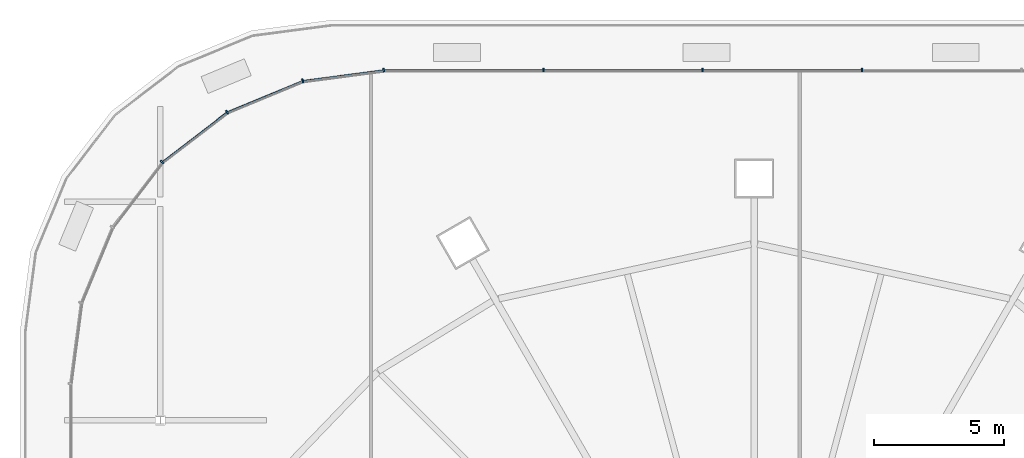
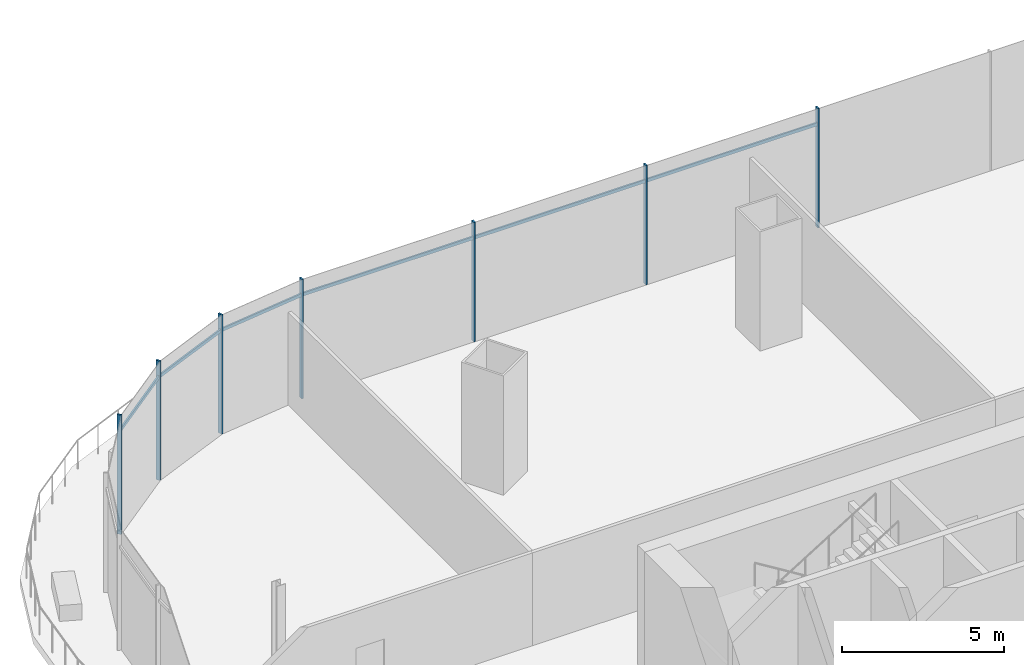
# One storey, part 17 of 49: 13 members, 1 element without a shape of its own.
"""IFC4 building model written with IfcOpenShell, lengths in metres."""

from ifc_helpers import new_model, si_unit, direction, frame, origin, origin_2d, place, context, subcontext, project, spatial, rectangle, extrude, material, material_profile, profile_set, type_object, element, aggregate, save


model = new_model("IFC4")

# Units and contexts
model_context = context("Model", 3, precision=1e-05, world=origin(), true_north=direction((0.0, 1.0)))
body_context = subcontext(model_context, "Body", "Model", "MODEL_VIEW")
ifc_project = project(units=[si_unit("LENGTHUNIT", "METRE"), si_unit("AREAUNIT", "SQUARE_METRE"), si_unit("VOLUMEUNIT", "CUBIC_METRE"), si_unit("PLANEANGLEUNIT", "RADIAN"), si_unit("MASSUNIT", "GRAM", prefix="KILO")], contexts=[model_context])

# Site, building, storey
site_placement = place(None, origin())
site = spatial("IfcSite", under=ifc_project, at=site_placement, CompositionType="ELEMENT")
building_placement = place(site_placement, origin())
building = spatial("IfcBuilding", under=site, at=building_placement, Name="Rimbun Link Towers", CompositionType="ELEMENT")
storey_placement = place(building_placement, frame((0.0, 0.0, 25.5)))
storey = spatial("IfcBuildingStorey", under=building, at=storey_placement, Name="L05", CompositionType="ELEMENT", Elevation=25.5)

# Curtain wall, members
ifc_material_1 = material(Name="Aluminium 6063-T6 and low-iron glass", Category="aluminium")
curtain_wall_type = type_object("IfcCurtainWallType", Name="CW3 podium shopfront", PredefinedType="NOTDEFINED", material=ifc_material_1)
curtain_wall_placement = place(storey_placement, origin())
curtain_wall = element("IfcCurtainWall", 1, at=curtain_wall_placement, inside=storey, type_object=curtain_wall_type, Name="CW3 L05 PD", PredefinedType="NOTDEFINED")
ifc_material_2 = material(Name="Aluminium 6063-T6", Category="aluminium")
ifc_material_profile_1 = material_profile(ifc_material_2, rectangle(XDim=0.14990234375, YDim=0.06005859375, at=origin_2d()), Name="MULLION 60X150")
ifc_profile_set_1 = profile_set([ifc_material_profile_1], Name="Aluminium 6063-T6")
member_type_1 = type_object("IfcMemberType", Name="CW3 mullion 60X150", PredefinedType="MULLION", material=ifc_profile_set_1)
member_1_placement = place(storey_placement, frame((-27.60009765625, 26.074951171875, 0.0), z_axis=(0.0, 0.0, 1.0), x_axis=(0.0, 1.0, 0.0)))
member_1 = element("IfcMember", 2, at=member_1_placement, type_object=member_type_1, Name="CW3 mullion", PredefinedType="MULLION", context=body_context, shape_type="SweptSolid", body=[
    extrude(rectangle(XDim=0.14990234375, YDim=0.06005859375, at=origin_2d()), origin(), (0.0, 0.0, 1.0), 4.5),
])
member_2_placement = place(storey_placement, frame((-33.7333984375, 26.074951171875, 0.0), z_axis=(0.0, 0.0, 1.0), x_axis=(0.0, 1.0, 0.0)))
member_2 = element("IfcMember", 3, at=member_2_placement, type_object=member_type_1, Name="CW3 mullion", PredefinedType="MULLION", context=body_context, shape_type="SweptSolid", body=[
    extrude(rectangle(XDim=0.14990234375, YDim=0.06005859375, at=origin_2d()), origin(), (0.0, 0.0, 1.0), 4.5),
])
member_3_placement = place(storey_placement, frame((-39.86669921875, 26.074951171875, 0.0), z_axis=(0.0, 0.0, 1.0), x_axis=(0.0, 1.0, 0.0)))
member_3 = element("IfcMember", 4, at=member_3_placement, type_object=member_type_1, Name="CW3 mullion", PredefinedType="MULLION", context=body_context, shape_type="SweptSolid", body=[
    extrude(rectangle(XDim=0.14990234375, YDim=0.06005859375, at=origin_2d()), origin(), (0.0, 0.0, 1.0), 4.5),
])
member_4_placement = place(storey_placement, frame((-46.0048828125, 26.074951171875, 0.0), z_axis=(0.0, 0.0, 1.0), x_axis=(-0.065405288299, 0.997858781723, 0.0)))
member_4 = element("IfcMember", 5, at=member_4_placement, type_object=member_type_1, Name="CW3 mullion", PredefinedType="MULLION", context=body_context, shape_type="SweptSolid", body=[
    extrude(rectangle(XDim=0.14990234375, YDim=0.06005859375, at=origin_2d()), origin(), (0.0, 0.0, 1.0), 4.5),
])
member_5_placement = place(storey_placement, frame((-49.125244140625, 25.66357421875, 0.0), z_axis=(0.0, 0.0, 1.0), x_axis=(-0.258818729038, 0.965925910978, 0.0)))
member_5 = element("IfcMember", 6, at=member_5_placement, type_object=member_type_1, Name="CW3 mullion", PredefinedType="MULLION", context=body_context, shape_type="SweptSolid", body=[
    extrude(rectangle(XDim=0.14990234375, YDim=0.06005859375, at=origin_2d()), origin(), (0.0, 0.0, 1.0), 4.5),
])
member_6_placement = place(storey_placement, frame((-52.03759765625, 24.457275390625, 0.0), z_axis=(0.0, 0.0, 1.0), x_axis=(-0.499993701568, 0.866029040155, 0.0)))
member_6 = element("IfcMember", 7, at=member_6_placement, type_object=member_type_1, Name="CW3 mullion", PredefinedType="MULLION", context=body_context, shape_type="SweptSolid", body=[
    extrude(rectangle(XDim=0.14990234375, YDim=0.06005859375, at=origin_2d()), origin(), (0.0, 0.0, 1.0), 4.5),
])
member_7_placement = place(storey_placement, frame((-54.538330078125, 22.538330078125, 0.0), z_axis=(0.0, 0.0, 1.0), x_axis=(-0.707106781187, 0.707106781187, 0.0)))
member_7 = element("IfcMember", 8, at=member_7_placement, type_object=member_type_1, Name="CW3 mullion", PredefinedType="MULLION", context=body_context, shape_type="SweptSolid", body=[
    extrude(rectangle(XDim=0.14990234375, YDim=0.06005859375, at=origin_2d()), origin(), (0.0, 0.0, 1.0), 4.5),
])
ifc_material_3 = material(Name="Aluminium 6063-T6", Category="aluminium")
ifc_material_profile_2 = material_profile(ifc_material_3, rectangle(XDim=0.06005859375, YDim=0.1201171875, at=origin_2d()), Name="TRANSOM 60X120")
ifc_profile_set_2 = profile_set([ifc_material_profile_2], Name="Aluminium 6063-T6")
member_type_2 = type_object("IfcMemberType", Name="CW3 transom 60X120", PredefinedType="USERDEFINED", material=ifc_profile_set_2)
member_8_placement = place(storey_placement, frame((-33.703369140625, 26.053955078125, 3.89990234375), z_axis=(1.0, 0.0, 0.0), x_axis=(0.0, 1.0, 0.0)))
member_8 = element("IfcMember", 9, at=member_8_placement, type_object=member_type_2, Name="CW3 transom", ObjectType="TRANSOM", PredefinedType="USERDEFINED", context=body_context, shape_type="SweptSolid", body=[
    extrude(rectangle(XDim=0.06005859375, YDim=0.1201171875, at=origin_2d()), origin(), (0.0, 0.0, 1.0), 6.073486328125),
])
member_9_placement = place(storey_placement, frame((-39.836669921875, 26.053955078125, 3.89990234375), z_axis=(1.0, 0.0, 0.0), x_axis=(0.0, 1.0, 0.0)))
member_9 = element("IfcMember", 10, at=member_9_placement, type_object=member_type_2, Name="CW3 transom", ObjectType="TRANSOM", PredefinedType="USERDEFINED", context=body_context, shape_type="SweptSolid", body=[
    extrude(rectangle(XDim=0.06005859375, YDim=0.1201171875, at=origin_2d()), origin(), (0.0, 0.0, 1.0), 6.0732421875),
])
member_10_placement = place(storey_placement, frame((-45.969970703125, 26.053955078125, 3.89990234375), z_axis=(1.0, 0.0, 0.0), x_axis=(0.0, 1.0, 0.0)))
member_10 = element("IfcMember", 11, at=member_10_placement, type_object=member_type_2, Name="CW3 transom", ObjectType="TRANSOM", PredefinedType="USERDEFINED", context=body_context, shape_type="SweptSolid", body=[
    extrude(rectangle(XDim=0.06005859375, YDim=0.1201171875, at=origin_2d()), origin(), (0.0, 0.0, 1.0), 6.0732421875),
])
member_11_placement = place(storey_placement, frame((-49.0830078125, 25.6484375, 3.89990234375), z_axis=(0.991441037829, 0.130555231638, 0.0), x_axis=(-0.130555231638, 0.991441037829, 0.0)))
member_11 = element("IfcMember", 12, at=member_11_placement, type_object=member_type_2, Name="CW3 transom", ObjectType="TRANSOM", PredefinedType="USERDEFINED", context=body_context, shape_type="SweptSolid", body=[
    extrude(rectangle(XDim=0.06005859375, YDim=0.1201171875, at=origin_2d()), origin(), (0.0, 0.0, 1.0), 3.072509765625),
])
member_12_placement = place(storey_placement, frame((-51.992919921875, 24.45361328125, 3.89990234375), z_axis=(0.923881248716, 0.382679289053, 0.0), x_axis=(-0.382679289053, 0.923881248716, 0.0)))
member_12 = element("IfcMember", 13, at=member_12_placement, type_object=member_type_2, Name="CW3 transom", ObjectType="TRANSOM", PredefinedType="USERDEFINED", context=body_context, shape_type="SweptSolid", body=[
    extrude(rectangle(XDim=0.06005859375, YDim=0.1201171875, at=origin_2d()), origin(), (0.0, 0.0, 1.0), 3.072509765625),
])
member_13_placement = place(storey_placement, frame((-54.494384765625, 22.54638671875, 3.89990234375), z_axis=(0.793344129687, 0.608773432314, 0.0), x_axis=(-0.608773432314, 0.793344129687, 0.0)))
member_13 = element("IfcMember", 14, at=member_13_placement, type_object=member_type_2, Name="CW3 transom", ObjectType="TRANSOM", PredefinedType="USERDEFINED", context=body_context, shape_type="SweptSolid", body=[
    extrude(rectangle(XDim=0.06005859375, YDim=0.1201171875, at=origin_2d()), origin(), (0.0, 0.0, 1.0), 3.07275390625),
])
aggregate(curtain_wall, [member_1, member_2, member_3, member_4, member_5, member_6, member_7, member_8, member_9, member_10, member_11, member_12, member_13])

save(model, "model.ifc")
